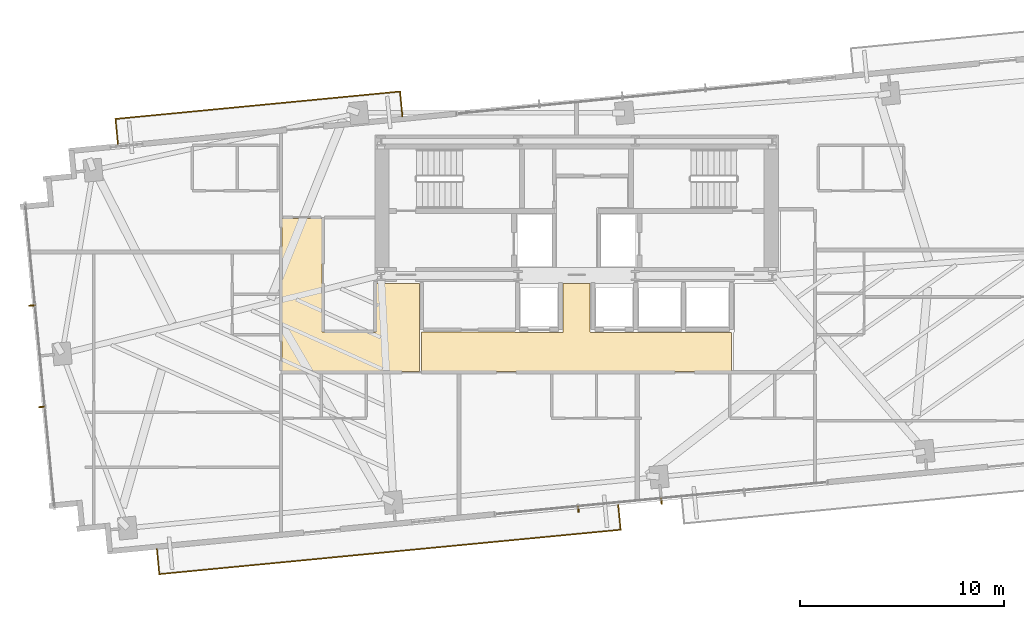
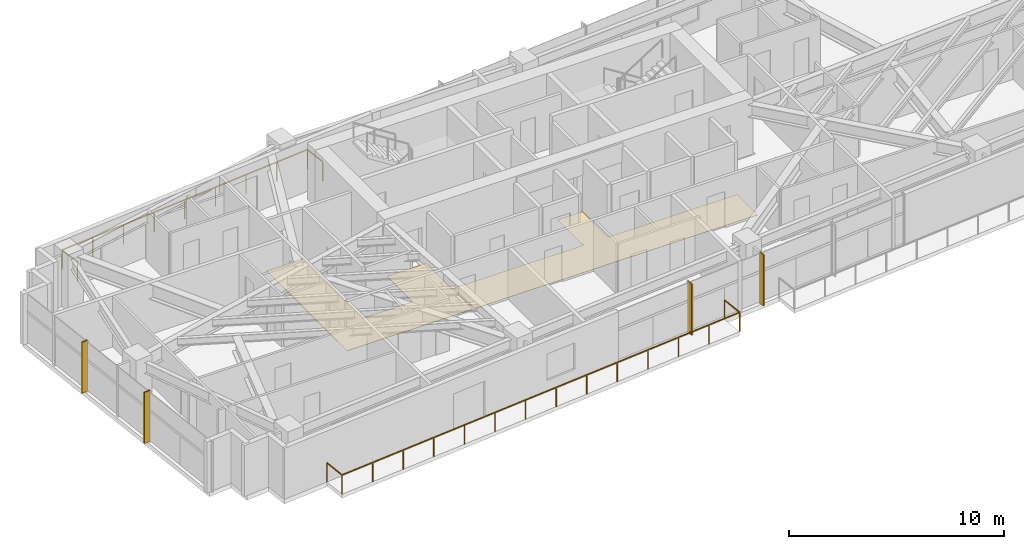
# One storey, part 25 of 27: 4 shading devices, 2 coverings, 2 railings.
"""IFC4 building model written with IfcOpenShell, lengths in metres."""

import ifcopenshell
import ifcopenshell.guid

model = None  # the IFC model being written
_history = None  # IfcOwnerHistory: only IFC2X3 demands one
_inside = {}  # id of a spatial element -> (the spatial element, [elements in it])
_under = {}  # id of a project, library or spatial element -> (it, [spatial elements below it])
_declared = {}  # id of a project -> (the project, [libraries it declares])
_typed = {}  # id of a type object -> (the type object, [elements of that type])
_made_of = {}  # id of a material, layer set ... -> (it, [elements and type objects made of it])


def new_model(schema):
    """Start an empty IFC model of exactly this schema.

    Asked for "IFC4X3", IfcOpenShell would pick the latest addendum, in which some entities
    have other attributes; the version numbers below select the first issue.
    IFC2X3 requires an IfcOwnerHistory on every rooted entity: one is made here for all.
    """
    global model, _history
    if schema == "IFC4X3":
        model = ifcopenshell.file(schema_version=(4, 3, 0, 0))
    else:
        model = ifcopenshell.file(schema=schema)
    _inside.clear()
    _under.clear()
    _declared.clear()
    _typed.clear()
    _made_of.clear()
    _history = None
    if model.schema == "IFC2X3":
        org = make("IfcOrganization", Name="unknown")
        user = make(
            "IfcPersonAndOrganization",
            ThePerson=make("IfcPerson", FamilyName="unknown"),
            TheOrganization=org,
        )
        app = make(
            "IfcApplication",
            ApplicationDeveloper=org,
            Version="unknown",
            ApplicationFullName="unknown",
            ApplicationIdentifier="unknown",
        )
        _history = make(
            "IfcOwnerHistory",
            OwningUser=user,
            OwningApplication=app,
            ChangeAction="ADDED",
            CreationDate=0,
        )
    return model


def make(cls, **values):
    """One entity of the class cls with the attributes given. An attribute that is None is left unset."""
    return model.create_entity(
        cls, **{name: value for name, value in values.items() if value is not None}
    )


def rooted(cls, **values):
    """An entity with a GlobalId (a new one), such as an element, a storey or a relation."""
    return make(cls, GlobalId=ifcopenshell.guid.new(), OwnerHistory=_history, **values)


def si_unit(unit_type, name, prefix=None):
    """IfcSIUnit, for example si_unit("LENGTHUNIT", "METRE", prefix="MILLI")."""
    return make("IfcSIUnit", UnitType=unit_type, Prefix=prefix, Name=name)


def assignment(units):
    """IfcUnitAssignment: the units of a project."""
    return None if units is None else make("IfcUnitAssignment", Units=units)


def point(xyz):
    """IfcCartesianPoint."""
    return None if xyz is None else make("IfcCartesianPoint", Coordinates=xyz)


def direction(xyz):
    """IfcDirection."""
    return None if xyz is None else make("IfcDirection", DirectionRatios=xyz)


def frame(location, z_axis=None, x_axis=None):
    """IfcAxis2Placement3D, a coordinate frame: its origin and axes. An axis left out is left unset."""
    return make(
        "IfcAxis2Placement3D",
        Location=point(location),
        Axis=direction(z_axis),
        RefDirection=direction(x_axis),
    )


def frame_2d(location, x_axis=None):
    """IfcAxis2Placement2D, a coordinate frame in the plane: its origin and x axis."""
    return make(
        "IfcAxis2Placement2D", Location=point(location), RefDirection=direction(x_axis)
    )


def origin():
    """The frame at (0, 0, 0) with its axes left unset."""
    return frame((0.0, 0.0, 0.0))


def origin_2d():
    """The frame at (0, 0) in the plane with its x axis left unset."""
    return frame_2d((0.0, 0.0))


def place(relative_to, where):
    """IfcLocalPlacement: puts the frame where relative to a parent placement (None: the world)."""
    return make(
        "IfcLocalPlacement", PlacementRelTo=relative_to, RelativePlacement=where
    )


def context(
    kind, dimensions, precision=None, world=None, true_north=None, identifier=None
):
    """IfcGeometricRepresentationContext, for example the 3D "Model" context."""
    return make(
        "IfcGeometricRepresentationContext",
        ContextIdentifier=identifier,
        ContextType=kind,
        CoordinateSpaceDimension=dimensions,
        Precision=precision,
        WorldCoordinateSystem=world,
        TrueNorth=true_north,
    )


def subcontext(parent, identifier, kind, view, scale=None):
    """IfcGeometricRepresentationSubContext, for example "Body" below "Model"."""
    return make(
        "IfcGeometricRepresentationSubContext",
        ContextIdentifier=identifier,
        ContextType=kind,
        ParentContext=parent,
        TargetScale=scale,
        TargetView=view,
    )


def project(units=None, contexts=None):
    """IfcProject with its units and contexts."""
    return rooted(
        "IfcProject",
        Name="project",
        RepresentationContexts=contexts,
        UnitsInContext=assignment(units),
    )


def spatial(cls, under=None, at=None, **own):
    """A site, building, storey or space (cls), placed at a placement, below another one or the project."""
    s = rooted(cls, ObjectPlacement=at, **own)
    if under is not None:
        _under.setdefault(under.id(), (under, []))[1].append(s)
    return s


def polyline(points):
    """IfcPolyline through the points."""
    return make("IfcPolyline", Points=[point(p) for p in points])


def profile(cls, at=None, kind="AREA", **sizes):
    """A parametric profile (cls). Its sizes go by their IFC names, for example OverallWidth=200.0."""
    return make(cls, ProfileType=kind, Position=at, **sizes)


def rectangle(**sizes):
    """IfcRectangleProfileDef."""
    return profile("IfcRectangleProfileDef", **sizes)


def outline(outer, holes=None, kind="AREA"):
    """IfcArbitraryClosedProfileDef: a profile drawn as a closed curve; with holes, ...WithVoids."""
    if holes is None:
        return make("IfcArbitraryClosedProfileDef", ProfileType=kind, OuterCurve=outer)
    return make(
        "IfcArbitraryProfileDefWithVoids",
        ProfileType=kind,
        OuterCurve=outer,
        InnerCurves=holes,
    )


def extrude(swept, where, along, depth):
    """IfcExtrudedAreaSolid: the profile swept, set in the frame where, extruded along a direction by depth."""
    return make(
        "IfcExtrudedAreaSolid",
        SweptArea=swept,
        Position=where,
        ExtrudedDirection=direction(along),
        Depth=depth,
    )


def shape(context_of_items, identifier, shape_type, items):
    """IfcShapeRepresentation: the items that make up one representation, for example the "Body"."""
    return make(
        "IfcShapeRepresentation",
        ContextOfItems=context_of_items,
        RepresentationIdentifier=identifier,
        RepresentationType=shape_type,
        Items=items,
    )


def source(mapping_origin, context_of_items, identifier, shape_type, items):
    """IfcRepresentationMap: a shape defined once, which mapped items show again and again."""
    return make(
        "IfcRepresentationMap",
        MappingOrigin=mapping_origin,
        MappedRepresentation=shape(context_of_items, identifier, shape_type, items),
    )


def transform(
    local_origin,
    x_axis=None,
    y_axis=None,
    z_axis=None,
    scale=None,
    scale2=None,
    scale3=None,
    uniform=True,
):
    """IfcCartesianTransformationOperator3D, or its non-uniform kind. x_axis, y_axis, z_axis: its Axis1, 2, 3."""
    if uniform:
        return make(
            "IfcCartesianTransformationOperator3D",
            Axis1=direction(x_axis),
            Axis2=direction(y_axis),
            LocalOrigin=point(local_origin),
            Scale=scale,
            Axis3=direction(z_axis),
        )
    return make(
        "IfcCartesianTransformationOperator3DnonUniform",
        Axis1=direction(x_axis),
        Axis2=direction(y_axis),
        LocalOrigin=point(local_origin),
        Scale=scale,
        Axis3=direction(z_axis),
        Scale2=scale2,
        Scale3=scale3,
    )


def mapped(mapping_source, mapping_target):
    """IfcMappedItem: shows the shape of a source again, moved by a transform."""
    return make(
        "IfcMappedItem", MappingSource=mapping_source, MappingTarget=mapping_target
    )


def material(Name=None, Category=None):
    """IfcMaterial."""
    return make("IfcMaterial", Name=Name, Category=Category)


def layer(
    of_material, thickness, ventilated=None, Name=None, Category=None, Priority=None
):
    """IfcMaterialLayer: one layer of a wall or slab, of a material (None: an air gap)."""
    return make(
        "IfcMaterialLayer",
        Material=of_material,
        LayerThickness=thickness,
        IsVentilated=ventilated,
        Name=Name,
        Category=Category,
        Priority=Priority,
    )


def layer_set(layers, Name=None):
    """IfcMaterialLayerSet."""
    return make("IfcMaterialLayerSet", MaterialLayers=layers, LayerSetName=Name)


def made_of(thing, what):
    """Note that an element or type object is made of a material, layer set ...; save() writes the relation."""
    if what is not None:
        _made_of.setdefault(what.id(), (what, []))[1].append(thing)
    return thing


def type_object(cls, material=None, **own):
    """A type object (cls), such as IfcWallType, which elements share."""
    return made_of(rooted(cls, **own), material)


def type_shapes(of_type, sources):
    """Give a type object the sources (RepresentationMaps) that its elements show as mapped items."""
    of_type.RepresentationMaps = sources


def element(
    cls,
    number,
    at=None,
    inside=None,
    cuts=None,
    type_object=None,
    material=None,
    context=None,
    identifier="Body",
    shape_type=None,
    held_by="IfcProductDefinitionShape",
    body=None,
    shapes=None,
    **own,
):
    """One element of the class cls, such as IfcWall. Its Tag is "e" and its number.

    at: its placement. inside: the storey or other place that contains it. cuts: it is an
    opening in that element (IfcRelVoidsElement). A single representation is given by context,
    identifier, shape_type and body (its items); several are given by shapes. held_by: the class
    of the entity that holds the representations. save() writes the other relations.
    """
    e = rooted(cls, Tag="e%d" % number, ObjectPlacement=at, **own)
    if body is not None:
        shapes = [shape(context, identifier, shape_type, body)]
    if shapes is not None:
        e.Representation = make(held_by, Representations=shapes)
    if inside is not None:
        _inside.setdefault(inside.id(), (inside, []))[1].append(e)
    if cuts is not None:
        rooted(
            "IfcRelVoidsElement", RelatingBuildingElement=cuts, RelatedOpeningElement=e
        )
    if type_object is not None:
        _typed.setdefault(type_object.id(), (type_object, []))[1].append(e)
    return made_of(e, material)


def aggregate(whole, parts):
    """IfcRelAggregates: a whole, such as a stair, and the parts it consists of."""
    return rooted("IfcRelAggregates", RelatingObject=whole, RelatedObjects=parts)


def save(model, path):
    """Write the relations noted so far, then the file.

    IfcRelAggregates (storeys below a building ...), IfcRelContainedInSpatialStructure (elements
    in a storey), IfcRelDefinesByType, IfcRelAssociatesMaterial and IfcRelDeclares: one each for
    every whole, place, type object, material and project.
    """
    for whole, parts in _under.values():
        aggregate(whole, parts)
    for where, things in _inside.values():
        rooted(
            "IfcRelContainedInSpatialStructure",
            RelatedElements=things,
            RelatingStructure=where,
        )
    for kind, things in _typed.values():
        rooted("IfcRelDefinesByType", RelatedObjects=things, RelatingType=kind)
    for what, things in _made_of.values():
        rooted("IfcRelAssociatesMaterial", RelatedObjects=things, RelatingMaterial=what)
    for by, libraries in _declared.values():
        rooted("IfcRelDeclares", RelatingContext=by, RelatedDefinitions=libraries)
    model.write(path)


model = new_model("IFC4")

# Units and contexts
model_context = context("Model", 3, precision=1e-05, world=origin(), true_north=direction((0.0, 1.0)))
body_context = subcontext(model_context, "Body", "Model", "MODEL_VIEW")
ifc_project = project(units=[si_unit("LENGTHUNIT", "METRE"), si_unit("AREAUNIT", "SQUARE_METRE"), si_unit("VOLUMEUNIT", "CUBIC_METRE"), si_unit("PLANEANGLEUNIT", "RADIAN"), si_unit("MASSUNIT", "GRAM", prefix="KILO")], contexts=[model_context])

# Site, building, storey
site_placement = place(None, origin())
site = spatial("IfcSite", under=ifc_project, at=site_placement, CompositionType="ELEMENT")
building_placement = place(site_placement, origin())
building = spatial("IfcBuilding", under=site, at=building_placement, Name="Astriad Promenade Condominiums", CompositionType="ELEMENT")
storey_placement = place(building_placement, frame((0.0, 0.0, 116.199951171875)))
storey = spatial("IfcBuildingStorey", under=building, at=storey_placement, Name="L33", CompositionType="ELEMENT", Elevation=116.199951171875)

# Coverings
ifc_material_1 = material(Name="Polished Lakefront Terrazzo Flooring")
ifc_layer = layer(ifc_material_1, 0.02001953125)
ifc_layer_set = layer_set([ifc_layer], Name="Polished Lakefront Terrazzo Flooring")
covering_type = type_object("IfcCoveringType", Name="COV-FLOR-TERRAZZO-20", PredefinedType="FLOORING", material=ifc_layer_set)
covering_1_placement = place(storey_placement, origin())
element("IfcCovering", 1, at=covering_1_placement, inside=storey, type_object=covering_type, Name="FLR-L33-LLB", PredefinedType="FLOORING", context=body_context, shape_type="SweptSolid", body=[
    extrude(outline(polyline([(32.9736328125, 14.6201171875), (32.974609375, 14.619140625), (32.977783203125, 14.61669921875), (32.981201171875, 14.61474609375), (32.984619140625, 14.613037109375), (32.98828125, 14.61181640625), (32.9921875, 14.61083984375), (32.99609375, 14.610107421875), (33.0, 14.610107421875), (35.300048828125, 14.610107421875), (35.303955078125, 14.610107421875), (35.307861328125, 14.61083984375), (35.3115234375, 14.61181640625), (35.315185546875, 14.613037109375), (35.31884765625, 14.61474609375), (35.322265625, 14.61669921875), (35.325439453125, 14.619140625), (35.328369140625, 14.62158203125), (35.330810546875, 14.62451171875), (35.333251953125, 14.627685546875), (35.335205078125, 14.631103515625), (35.3369140625, 14.634765625), (35.33837890625, 14.638427734375), (35.339111328125, 14.64208984375), (35.33984375, 14.64599609375), (35.340087890625, 14.64990234375), (35.340087890625, 17.010009765625), (36.659912109375, 17.010009765625), (36.659912109375, 14.64990234375), (36.66015625, 14.64599609375), (36.660888671875, 14.64208984375), (36.66162109375, 14.638427734375), (36.6630859375, 14.634765625), (36.664794921875, 14.631103515625), (36.666748046875, 14.627685546875), (36.669189453125, 14.62451171875), (36.671630859375, 14.62158203125), (36.674560546875, 14.619140625), (36.677734375, 14.61669921875), (36.68115234375, 14.61474609375), (36.684814453125, 14.613037109375), (36.6884765625, 14.61181640625), (36.692138671875, 14.61083984375), (36.696044921875, 14.610107421875), (36.699951171875, 14.610107421875), (43.610107421875, 14.610107421875), (43.610107421875, 12.68994140625), (28.389892578125, 12.68994140625), (28.389892578125, 14.6201171875), (32.9736328125, 14.6201171875)])), origin(), (0.0, 0.0, 1.0), 0.02001953125),
])
covering_2_placement = place(storey_placement, origin())
element("IfcCovering", 2, at=covering_2_placement, inside=storey, type_object=covering_type, Name="FLR-L33-COR-2", PredefinedType="FLOORING", context=body_context, shape_type="SweptSolid", body=[
    extrude(outline(polyline([(28.300048828125, 12.68994140625), (21.5400390625, 12.68994140625), (21.5400390625, 20.2099609375), (23.510009765625, 20.2099609375), (23.510009765625, 14.659912109375), (23.51025390625, 14.656005859375), (23.5107421875, 14.652099609375), (23.51171875, 14.6484375), (23.512939453125, 14.644775390625), (23.5146484375, 14.64111328125), (23.5166015625, 14.6376953125), (23.51904296875, 14.634521484375), (23.521728515625, 14.631591796875), (23.524658203125, 14.629150390625), (23.52783203125, 14.626708984375), (23.531005859375, 14.624755859375), (23.53466796875, 14.623046875), (23.538330078125, 14.62158203125), (23.542236328125, 14.620849609375), (23.546142578125, 14.6201171875), (23.550048828125, 14.6201171875), (26.1201171875, 14.6201171875), (26.123779296875, 14.6201171875), (26.127685546875, 14.620849609375), (26.131591796875, 14.62158203125), (26.13525390625, 14.623046875), (26.138916015625, 14.624755859375), (26.14208984375, 14.626708984375), (26.1455078125, 14.629150390625), (26.148193359375, 14.631591796875), (26.15087890625, 14.634521484375), (26.1533203125, 14.6376953125), (26.1552734375, 14.64111328125), (26.156982421875, 14.644775390625), (26.158203125, 14.6484375), (26.1591796875, 14.652099609375), (26.159912109375, 14.656005859375), (26.159912109375, 14.659912109375), (26.159912109375, 17.010009765625), (28.280029296875, 17.010009765625), (28.280029296875, 14.659912109375), (28.2802734375, 14.656005859375), (28.28076171875, 14.652099609375), (28.28173828125, 14.6484375), (28.282958984375, 14.644775390625), (28.28466796875, 14.64111328125), (28.28662109375, 14.6376953125), (28.2890625, 14.634521484375), (28.291748046875, 14.631591796875), (28.294677734375, 14.629150390625), (28.2978515625, 14.626708984375), (28.300048828125, 14.62548828125), (28.300048828125, 12.68994140625)])), origin(), (0.0, 0.0, 1.0), 0.02001953125),
])

# Shading devices
ifc_material_2 = material(Name="Anodised aluminium 6063-T6 Black Fin", Category="aluminium")
shading_device_type = type_object("IfcShadingDeviceType", Name="FIN-BLACK-320", PredefinedType="USERDEFINED", material=ifc_material_2)
shared_shape_1 = source(origin(), body_context, "Body", "SweptSolid", [
    extrude(rectangle(XDim=0.06494140625, YDim=0.320068359375, at=origin_2d()), origin(), (0.0, 0.0, 1.0), 2.89990234375),
])
type_shapes(shading_device_type, [shared_shape_1])
for number, where, z_axis, x_axis, name in (
    (3, (9.766845703125, 10.954345703125, 0.0), (0.0, 0.0, 1.0), (-0.09584575252, 0.995396198367, 0.0), "CW-L33-W-FIN-01"),
    (4, (9.28759765625, 15.931396484375, 0.0), (0.0, 0.0, 1.0), (-0.09584575252, 0.995396198367, 0.0), "CW-L33-W-FIN-02"),
    (5, (40.159423828125, 6.3359375, 0.0), (0.0, 0.0, 1.0), (-0.995396198367, -0.09584575252, 0.0), "CW-L33-S-FIN-02"),
    (6, (36.083251953125, 5.943603515625, 0.0), (0.0, 0.0, 1.0), (-0.995396198367, -0.09584575252, 0.0), "CW-L33-S-FIN-03"),
):
    element("IfcShadingDevice", number, at=place(storey_placement, frame(where, z_axis=z_axis, x_axis=x_axis)), inside=storey, type_object=shading_device_type, Name=name, ObjectType="FIN", PredefinedType="USERDEFINED", context=body_context, shape_type="MappedRepresentation", body=[
        mapped(shared_shape_1, transform((0.0, 0.0, 0.0), scale=1.0)),
    ])

# Railings
ifc_material_3 = material(Name="Laminated Glass and Stainless Steel Balustrade", Category="steel")
railing_type = type_object("IfcRailingType", Name="GRD-BALC-1120", PredefinedType="BALUSTRADE", material=ifc_material_3)
shared_shape_2 = source(origin(), body_context, "Body", "SweptSolid", [
    extrude(rectangle(XDim=0.048095703125, YDim=0.048095703125, at=origin_2d()), frame((0.0, 0.0, 1.09619140625), z_axis=(0.095857307208, -0.99539508571, 0.0), x_axis=(0.99539508571, 0.095857307208, 0.0)), (0.0, 0.0, 1.0), 1.219970703125),
    extrude(rectangle(XDim=0.048095703125, YDim=0.048095703125, at=origin_2d()), frame((0.116943359375, -1.21435546875, 1.09619140625), z_axis=(0.995395760441, 0.095850300449, 0.0), x_axis=(-0.095850300449, 0.995395760441, 0.0)), (0.0, 0.0, 1.0), 22.738037109375),
    extrude(rectangle(XDim=0.048095703125, YDim=0.048095703125, at=origin_2d()), frame((22.750244140625, 0.965087890625, 1.09619140625), z_axis=(-0.095857307208, 0.99539508571, 0.0), x_axis=(-0.99539508571, -0.095857307208, 0.0)), (0.0, 0.0, 1.0), 1.219970703125),
    extrude(rectangle(XDim=0.0419921875, YDim=0.0419921875, at=origin_2d()), origin(), (0.0, 0.0, 1.0), 1.072021484375),
    extrude(rectangle(XDim=0.0419921875, YDim=0.0419921875, at=origin_2d()), frame((0.116943359375, -1.21435546875, 0.0)), (0.0, 0.0, 1.0), 1.072021484375),
    extrude(rectangle(XDim=0.0419921875, YDim=0.0419921875, at=origin_2d()), frame((1.85791015625, -1.046630859375, 0.0)), (0.0, 0.0, 1.0), 1.072021484375),
    extrude(rectangle(XDim=0.0419921875, YDim=0.0419921875, at=origin_2d()), frame((3.598876953125, -0.879150390625, 0.0)), (0.0, 0.0, 1.0), 1.072021484375),
    extrude(rectangle(XDim=0.0419921875, YDim=0.0419921875, at=origin_2d()), frame((5.340087890625, -0.71142578125, 0.0)), (0.0, 0.0, 1.0), 1.072021484375),
    extrude(rectangle(XDim=0.0419921875, YDim=0.0419921875, at=origin_2d()), frame((7.0810546875, -0.543701171875, 0.0)), (0.0, 0.0, 1.0), 1.072021484375),
    extrude(rectangle(XDim=0.0419921875, YDim=0.0419921875, at=origin_2d()), frame((8.822021484375, -0.376220703125, 0.0)), (0.0, 0.0, 1.0), 1.072021484375),
    extrude(rectangle(XDim=0.0419921875, YDim=0.0419921875, at=origin_2d()), frame((10.56298828125, -0.20849609375, 0.0)), (0.0, 0.0, 1.0), 1.072021484375),
    extrude(rectangle(XDim=0.0419921875, YDim=0.0419921875, at=origin_2d()), frame((12.30419921875, -0.040771484375, 0.0)), (0.0, 0.0, 1.0), 1.072021484375),
    extrude(rectangle(XDim=0.0419921875, YDim=0.0419921875, at=origin_2d()), frame((14.045166015625, 0.126953125, 0.0)), (0.0, 0.0, 1.0), 1.072021484375),
    extrude(rectangle(XDim=0.0419921875, YDim=0.0419921875, at=origin_2d()), frame((15.7861328125, 0.29443359375, 0.0)), (0.0, 0.0, 1.0), 1.072021484375),
    extrude(rectangle(XDim=0.0419921875, YDim=0.0419921875, at=origin_2d()), frame((17.527099609375, 0.462158203125, 0.0)), (0.0, 0.0, 1.0), 1.072021484375),
    extrude(rectangle(XDim=0.0419921875, YDim=0.0419921875, at=origin_2d()), frame((19.268310546875, 0.6298828125, 0.0)), (0.0, 0.0, 1.0), 1.072021484375),
    extrude(rectangle(XDim=0.0419921875, YDim=0.0419921875, at=origin_2d()), frame((21.00927734375, 0.79736328125, 0.0)), (0.0, 0.0, 1.0), 1.072021484375),
    extrude(rectangle(XDim=0.0419921875, YDim=0.0419921875, at=origin_2d()), frame((22.750244140625, 0.965087890625, 0.0)), (0.0, 0.0, 1.0), 1.072021484375),
    extrude(rectangle(XDim=0.0419921875, YDim=0.0419921875, at=origin_2d()), frame((22.63330078125, 2.179443359375, 0.0)), (0.0, 0.0, 1.0), 1.072021484375),
])
railing_1_placement = place(storey_placement, frame((15.406982421875, 3.962646484375, 0.0)))
element("IfcRailing", 7, at=railing_1_placement, inside=storey, type_object=railing_type, Name="GRD-BALC-L33-SW", PredefinedType="BALUSTRADE", context=body_context, shape_type="MappedRepresentation", body=[
    mapped(shared_shape_2, transform((0.0, 0.0, 0.0), scale=1.0)),
])
shared_shape_3 = source(origin(), body_context, "Body", "SweptSolid", [
    extrude(rectangle(XDim=0.048095703125, YDim=0.048095703125, at=origin_2d()), frame((0.0, 0.0, 1.09619140625), z_axis=(-0.095857307208, 0.99539508571, 0.0), x_axis=(-0.99539508571, -0.095857307208, 0.0)), (0.0, 0.0, 1.0), 1.219970703125),
    extrude(rectangle(XDim=0.048095703125, YDim=0.048095703125, at=origin_2d()), frame((-0.116943359375, 1.21435546875, 1.09619140625), z_axis=(-0.995395177866, -0.095856350235, 0.0), x_axis=(0.095856350235, -0.995395177866, 0.0)), (0.0, 0.0, 1.0), 14.026123046875),
    extrude(rectangle(XDim=0.048095703125, YDim=0.048095703125, at=origin_2d()), frame((-14.078369140625, -0.130126953125, 1.09619140625), z_axis=(0.095857307208, -0.99539508571, 0.0), x_axis=(0.99539508571, 0.095857307208, 0.0)), (0.0, 0.0, 1.0), 1.219970703125),
    extrude(rectangle(XDim=0.0419921875, YDim=0.0419921875, at=origin_2d()), origin(), (0.0, 0.0, 1.0), 1.072021484375),
    extrude(rectangle(XDim=0.0419921875, YDim=0.0419921875, at=origin_2d()), frame((-0.116943359375, 1.21435546875, 0.0)), (0.0, 0.0, 1.0), 1.072021484375),
    extrude(rectangle(XDim=0.0419921875, YDim=0.0419921875, at=origin_2d()), frame((-1.862060546875, 1.04638671875, 0.0)), (0.0, 0.0, 1.0), 1.072021484375),
    extrude(rectangle(XDim=0.0419921875, YDim=0.0419921875, at=origin_2d()), frame((-3.607421875, 0.878173828125, 0.0)), (0.0, 0.0, 1.0), 1.072021484375),
    extrude(rectangle(XDim=0.0419921875, YDim=0.0419921875, at=origin_2d()), frame((-5.3525390625, 0.710205078125, 0.0)), (0.0, 0.0, 1.0), 1.072021484375),
    extrude(rectangle(XDim=0.0419921875, YDim=0.0419921875, at=origin_2d()), frame((-7.09765625, 0.5419921875, 0.0)), (0.0, 0.0, 1.0), 1.072021484375),
    extrude(rectangle(XDim=0.0419921875, YDim=0.0419921875, at=origin_2d()), frame((-8.8427734375, 0.3740234375, 0.0)), (0.0, 0.0, 1.0), 1.072021484375),
    extrude(rectangle(XDim=0.0419921875, YDim=0.0419921875, at=origin_2d()), frame((-10.587890625, 0.2060546875, 0.0)), (0.0, 0.0, 1.0), 1.072021484375),
    extrude(rectangle(XDim=0.0419921875, YDim=0.0419921875, at=origin_2d()), frame((-12.333251953125, 0.037841796875, 0.0)), (0.0, 0.0, 1.0), 1.072021484375),
    extrude(rectangle(XDim=0.0419921875, YDim=0.0419921875, at=origin_2d()), frame((-14.078369140625, -0.130126953125, 0.0)), (0.0, 0.0, 1.0), 1.072021484375),
    extrude(rectangle(XDim=0.0419921875, YDim=0.0419921875, at=origin_2d()), frame((-13.96142578125, -1.344482421875, 0.0)), (0.0, 0.0, 1.0), 1.072021484375),
])
type_shapes(railing_type, [shared_shape_2, shared_shape_3])
railing_2_placement = place(storey_placement, frame((27.451416015625, 25.215087890625, 0.0)))
element("IfcRailing", 8, at=railing_2_placement, inside=storey, type_object=railing_type, Name="GRD-BALC-L33-NW", PredefinedType="BALUSTRADE", context=body_context, shape_type="MappedRepresentation", body=[
    mapped(shared_shape_3, transform((0.0, 0.0, 0.0), scale=1.0)),
])

save(model, "model.ifc")
